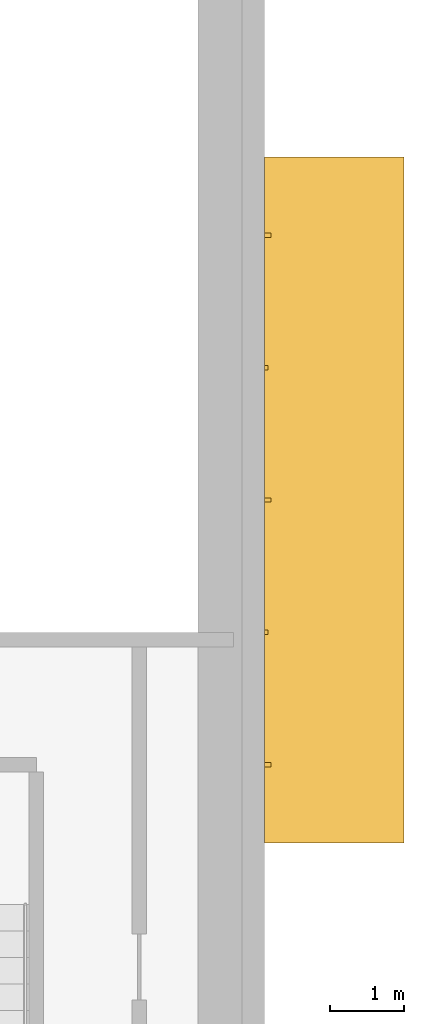
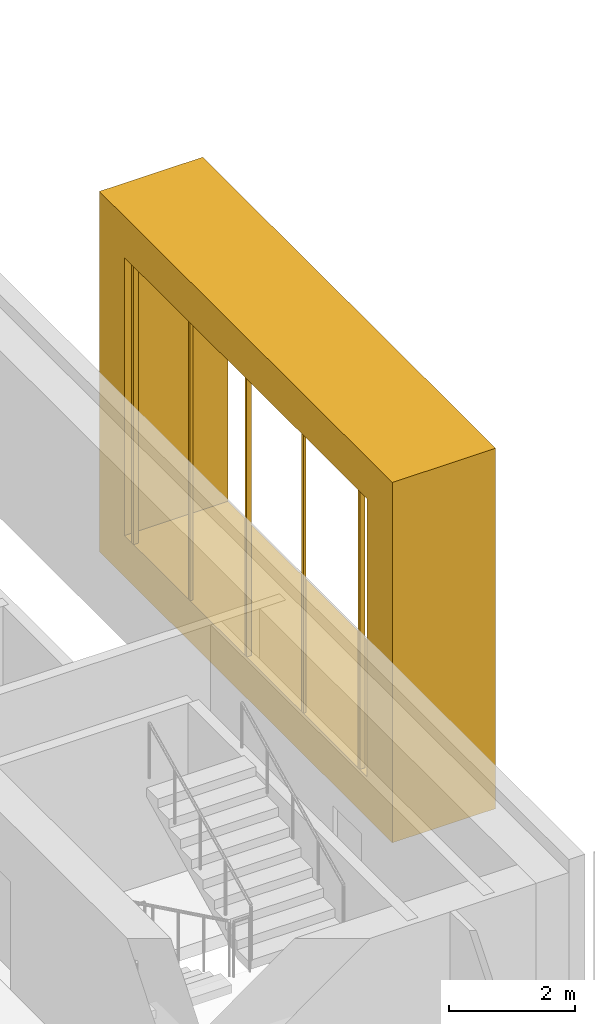
# One storey, part 18 of 20: 6 coverings.
"""IFC4 building model written with IfcOpenShell, lengths in metres."""

from ifc_helpers import new_model, si_unit, direction, frame, origin, origin_2d, place, context, subcontext, project, spatial, polyline, rectangle, outline, extrude, material, type_object, element, save


model = new_model("IFC4")

# Units and contexts
model_context = context("Model", 3, precision=1e-05, world=origin(), true_north=direction((0.0, 1.0)))
body_context = subcontext(model_context, "Body", "Model", "MODEL_VIEW")
ifc_project = project(units=[si_unit("LENGTHUNIT", "METRE"), si_unit("AREAUNIT", "SQUARE_METRE"), si_unit("VOLUMEUNIT", "CUBIC_METRE"), si_unit("PLANEANGLEUNIT", "RADIAN"), si_unit("MASSUNIT", "GRAM", prefix="KILO")], contexts=[model_context])

# Site, building, storey
site_placement = place(None, origin())
site = spatial("IfcSite", under=ifc_project, at=site_placement, CompositionType="ELEMENT")
building_placement = place(site_placement, origin())
building = spatial("IfcBuilding", under=site, at=building_placement, Name="Cobrizo Arcos Hotel Tower", CompositionType="ELEMENT")
storey_placement = place(building_placement, frame((0.0, 0.0, 124.0)))
storey = spatial("IfcBuildingStorey", under=building, at=storey_placement, Name="L31", CompositionType="ELEMENT", Elevation=124.0)

# Coverings
ifc_material_1 = material(Name="Aluminium 6063-T6 anodised bronze", Category="aluminium")
covering_type_1 = type_object("IfcCoveringType", Name="FIN-F 1900", PredefinedType="CLADDING", material=ifc_material_1)
covering_placement = place(storey_placement, frame((23.10009765625, -4.66259765625, 0.0), z_axis=(1.0, 0.0, 0.0), x_axis=(0.0, 1.0, 0.0)))
element("IfcCovering", 1, at=covering_placement, inside=storey, type_object=covering_type_1, Name="Fin frame 124", PredefinedType="CLADDING", context=body_context, shape_type="SweptSolid", body=[
    extrude(outline(polyline([(0.0, 7.0), (0.0, 0.0), (9.324951171875, 0.0), (9.324951171875, 7.0), (0.0, 7.0)]), holes=[polyline([(8.52490234375, 0.800048828125), (0.800048828125, 0.800048828125), (0.800048828125, 6.199951171875), (8.52490234375, 6.199951171875), (8.52490234375, 0.800048828125)])]), origin(), (0.0, 0.0, 1.0), 1.89990234375),
])
ifc_material_2 = material(Name="Aluminium 6063-T6 anodised pale", Category="aluminium")
covering_type_2 = type_object("IfcCoveringType", Name="RS-1 rainscreen rib 60x90", PredefinedType="CLADDING", material=ifc_material_2)
for number, where, z_axis, x_axis, name in (
    (2, (23.14501953125, -3.60009765625, 0.800048828125), (0.0, 0.0, 1.0), (0.0, 1.0, 0.0), "Rainscreen rib 144"),
    (3, (23.14501953125, 0.0, 0.800048828125), (0.0, 0.0, 1.0), (0.0, 1.0, 0.0), "Rainscreen rib 146"),
    (4, (23.14501953125, 3.60009765625, 0.800048828125), (0.0, 0.0, 1.0), (0.0, 1.0, 0.0), "Rainscreen rib 148"),
):
    element("IfcCovering", number, at=place(storey_placement, frame(where, z_axis=z_axis, x_axis=x_axis)), inside=storey, type_object=covering_type_2, Name=name, PredefinedType="CLADDING", context=body_context, shape_type="SweptSolid", body=[
        extrude(rectangle(XDim=0.06005859375, YDim=0.090087890625, at=origin_2d()), origin(), (0.0, 0.0, 1.0), 5.39990234375),
    ])
covering_type_3 = type_object("IfcCoveringType", Name="RS-2 rainscreen rib 60x50", PredefinedType="CLADDING", material=ifc_material_2)
for number, where, z_axis, x_axis, name in (
    (5, (23.125, -1.800048828125, 0.800048828125), (0.0, 0.0, 1.0), (0.0, 1.0, 0.0), "Rainscreen rib 145"),
    (6, (23.125, 1.800048828125, 0.800048828125), (0.0, 0.0, 1.0), (0.0, 1.0, 0.0), "Rainscreen rib 147"),
):
    element("IfcCovering", number, at=place(storey_placement, frame(where, z_axis=z_axis, x_axis=x_axis)), inside=storey, type_object=covering_type_3, Name=name, PredefinedType="CLADDING", context=body_context, shape_type="SweptSolid", body=[
        extrude(rectangle(XDim=0.06005859375, YDim=0.050048828125, at=origin_2d()), origin(), (0.0, 0.0, 1.0), 5.39990234375),
    ])

save(model, "model.ifc")
